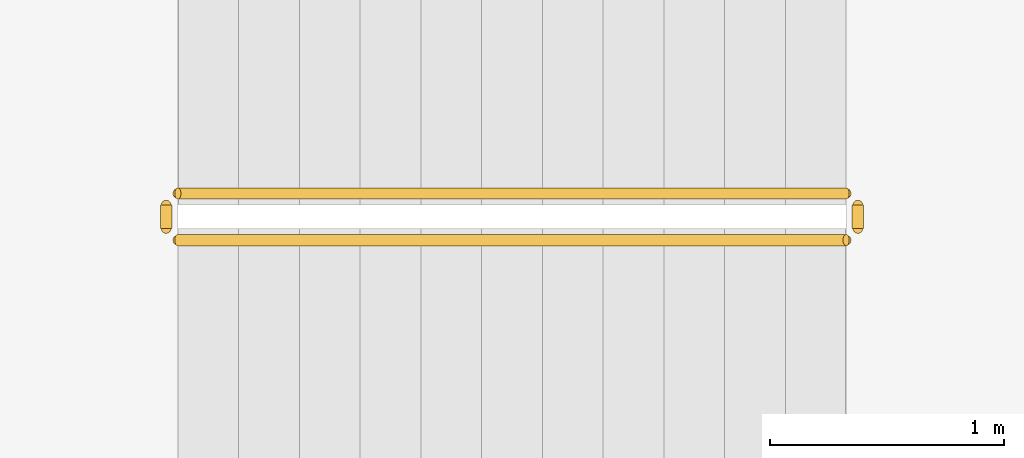
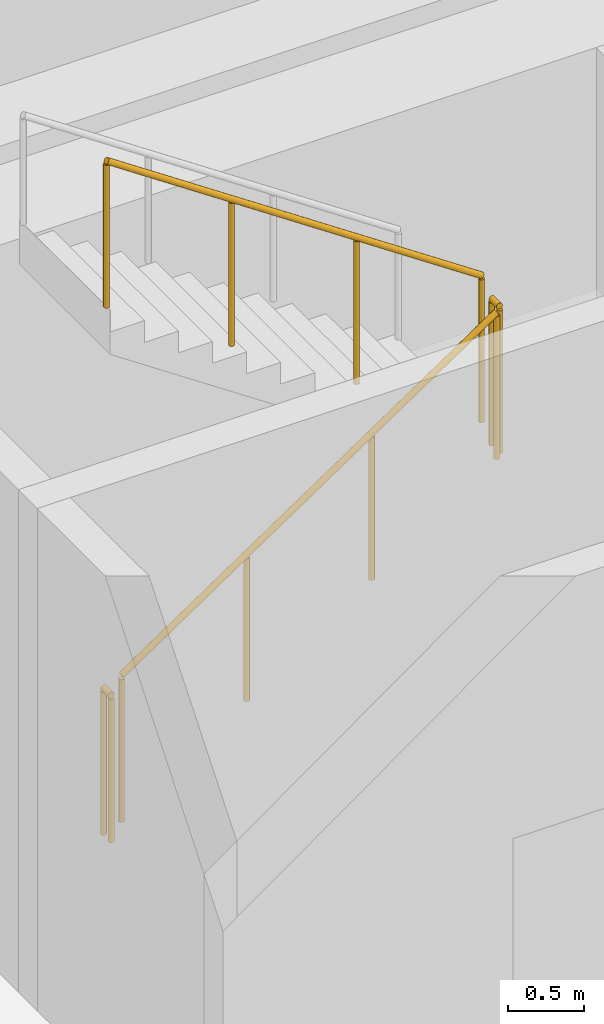
# One storey, part 20 of 24: 4 railings.
"""IFC4 building model written with IfcOpenShell, lengths in metres."""

from ifc_helpers import new_model, si_unit, direction, frame, origin, origin_2d, place, context, subcontext, project, spatial, circle, extrude, material, type_object, element, save


model = new_model("IFC4")

# Units and contexts
model_context = context("Model", 3, precision=1e-05, world=origin(), true_north=direction((0.0, 1.0)))
body_context = subcontext(model_context, "Body", "Model", "MODEL_VIEW")
ifc_project = project(units=[si_unit("LENGTHUNIT", "METRE"), si_unit("AREAUNIT", "SQUARE_METRE"), si_unit("VOLUMEUNIT", "CUBIC_METRE"), si_unit("PLANEANGLEUNIT", "RADIAN"), si_unit("MASSUNIT", "GRAM", prefix="KILO")], contexts=[model_context])

# Site, building, storey
site_placement = place(None, origin())
site = spatial("IfcSite", under=ifc_project, at=site_placement, CompositionType="ELEMENT")
building_placement = place(site_placement, origin())
building = spatial("IfcBuilding", under=site, at=building_placement, Name="Sahrelin Media Tower", CompositionType="ELEMENT")
storey_placement = place(building_placement, frame((0.0, 0.0, 123.0)))
storey = spatial("IfcBuildingStorey", under=building, at=storey_placement, Name="L24", CompositionType="ELEMENT", Elevation=123.0)

# Railings
ifc_material = material(Name="Steel S355", Category="steel")
railing_type = type_object("IfcRailingType", Name="Stair guard 1200", PredefinedType="GUARDRAIL", material=ifc_material)
railing_1_placement = place(storey_placement, frame((-7.675048828125, 5.25, 0.175048828125)))
element("IfcRailing", 1, at=railing_1_placement, inside=storey, type_object=railing_type, Name="L24 ST1 stair guard 1", PredefinedType="GUARDRAIL", context=body_context, shape_type="SweptSolid", body=[
    extrude(circle(Radius=0.02392578125, at=origin_2d()), frame((0.0, 0.0, 1.17578125), z_axis=(0.829590901723, 0.0, 0.558371682465), x_axis=(0.0, 1.0, 0.0)), (0.0, 0.0, 1.0), 3.447509765625),
    extrude(circle(Radius=0.02099609375, at=origin_2d()), origin(), (0.0, 0.0, 1.0), 1.15185546875),
    extrude(circle(Radius=0.02099609375, at=origin_2d()), frame((0.953369140625, 0.0, 0.6416015625)), (0.0, 0.0, 1.0), 1.15185546875),
    extrude(circle(Radius=0.02099609375, at=origin_2d()), frame((1.90673828125, 0.0, 1.283447265625)), (0.0, 0.0, 1.0), 1.15185546875),
    extrude(circle(Radius=0.02099609375, at=origin_2d()), frame((2.860107421875, 0.0, 1.925048828125)), (0.0, 0.0, 1.0), 1.15185546875),
])
railing_2_placement = place(storey_placement, frame((-4.764892578125, 5.300048828125, 2.10009765625)))
element("IfcRailing", 2, at=railing_2_placement, inside=storey, type_object=railing_type, Name="L24 ST1 stair guard 2", PredefinedType="GUARDRAIL", context=body_context, shape_type="SweptSolid", body=[
    extrude(circle(Radius=0.02392578125, at=origin_2d()), frame((0.0, 0.0, 1.17578125), z_axis=(0.0, 1.0, 0.0), x_axis=(-1.0, 0.0, 0.0)), (0.0, 0.0, 1.0), 0.099853515625),
    extrude(circle(Radius=0.02099609375, at=origin_2d()), origin(), (0.0, 0.0, 1.0), 1.15185546875),
    extrude(circle(Radius=0.02099609375, at=origin_2d()), frame((0.0, 0.099853515625, 0.0)), (0.0, 0.0, 1.0), 1.15185546875),
])
railing_3_placement = place(storey_placement, frame((-4.81494140625, 5.449951171875, 2.27490234375)))
element("IfcRailing", 3, at=railing_3_placement, inside=storey, type_object=railing_type, Name="L24 ST1 stair guard 3", PredefinedType="GUARDRAIL", context=body_context, shape_type="SweptSolid", body=[
    extrude(circle(Radius=0.02392578125, at=origin_2d()), frame((0.0, 0.0, 1.17578125), z_axis=(-0.829590901723, 0.0, 0.558371682465), x_axis=(0.0, -1.0, 0.0)), (0.0, 0.0, 1.0), 3.447509765625),
    extrude(circle(Radius=0.02099609375, at=origin_2d()), origin(), (0.0, 0.0, 1.0), 1.15185546875),
    extrude(circle(Radius=0.02099609375, at=origin_2d()), frame((-0.953369140625, 0.0, 0.6416015625)), (0.0, 0.0, 1.0), 1.15185546875),
    extrude(circle(Radius=0.02099609375, at=origin_2d()), frame((-1.90673828125, 0.0, 1.283447265625)), (0.0, 0.0, 1.0), 1.15185546875),
    extrude(circle(Radius=0.02099609375, at=origin_2d()), frame((-2.860107421875, 0.0, 1.925048828125)), (0.0, 0.0, 1.0), 1.15185546875),
])
railing_4_placement = place(storey_placement, frame((-7.72509765625, 5.300048828125, 0.0)))
element("IfcRailing", 4, at=railing_4_placement, inside=storey, type_object=railing_type, Name="L24 ST1 stair guard 4", PredefinedType="GUARDRAIL", context=body_context, shape_type="SweptSolid", body=[
    extrude(circle(Radius=0.02392578125, at=origin_2d()), frame((0.0, 0.0, 1.17578125), z_axis=(0.0, 1.0, 0.0), x_axis=(-1.0, 0.0, 0.0)), (0.0, 0.0, 1.0), 0.099853515625),
    extrude(circle(Radius=0.02099609375, at=origin_2d()), origin(), (0.0, 0.0, 1.0), 1.15185546875),
    extrude(circle(Radius=0.02099609375, at=origin_2d()), frame((0.0, 0.099853515625, 0.0)), (0.0, 0.0, 1.0), 1.15185546875),
])

save(model, "model.ifc")
